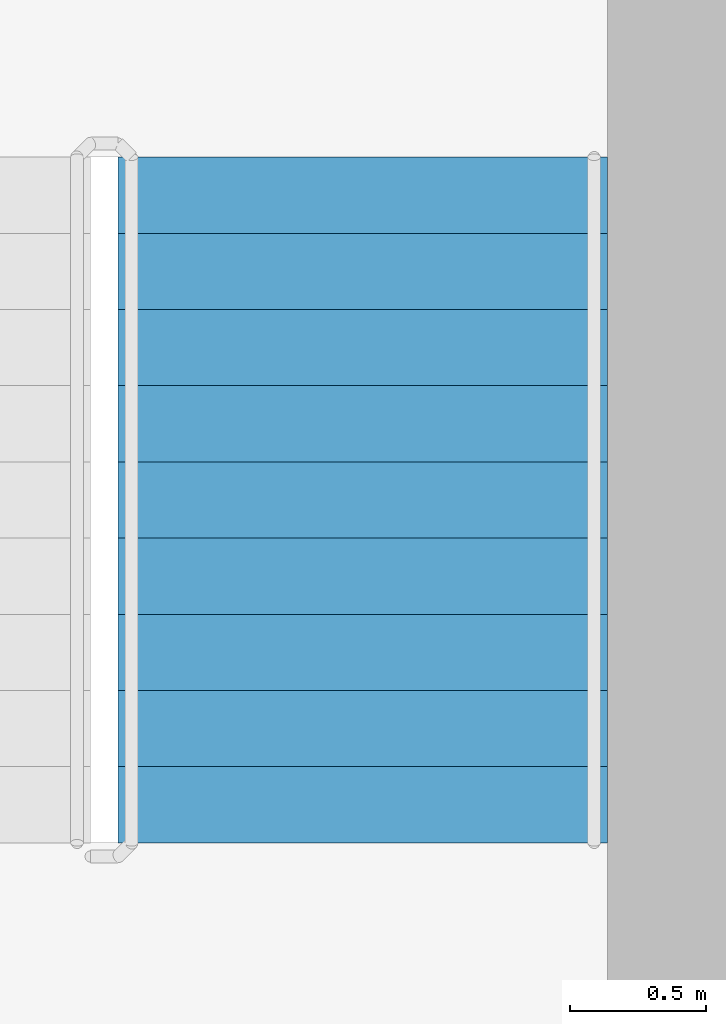
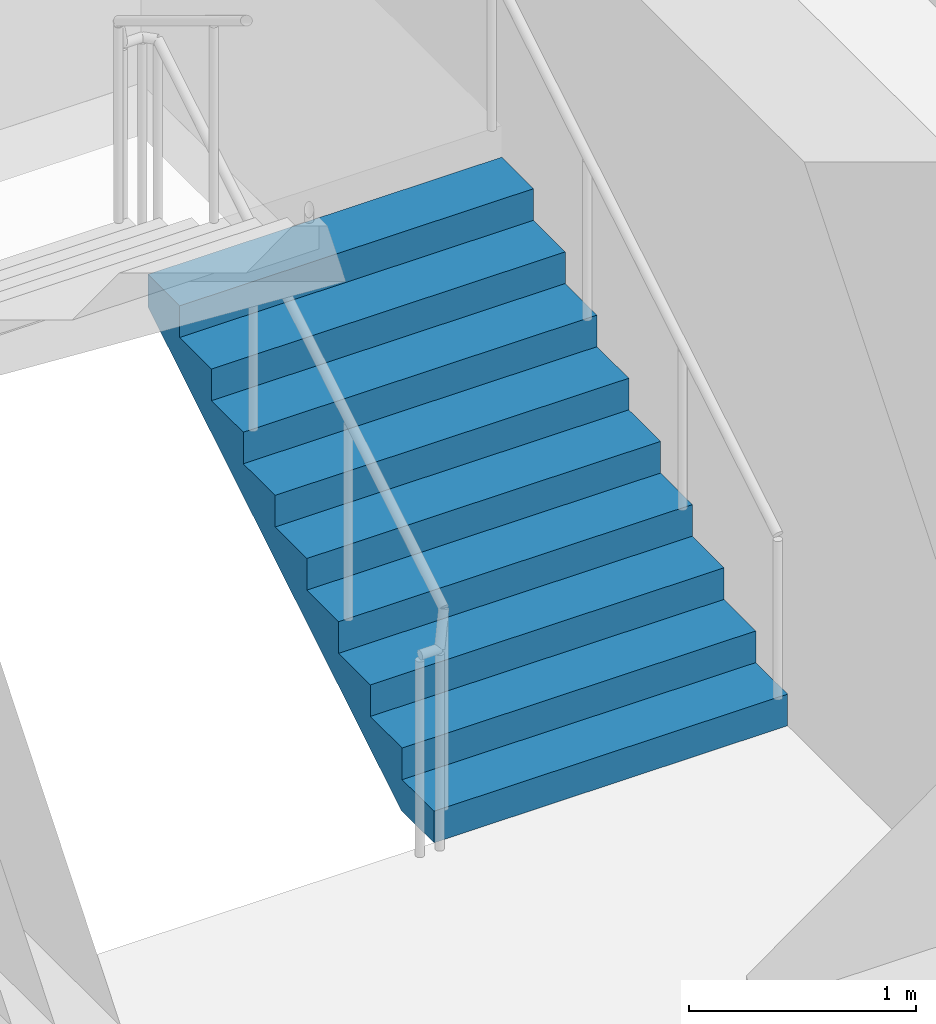
# One storey, part 11 of 16: 1 stair flight, 1 element without a shape of its own.
"""IFC4 building model written with IfcOpenShell, lengths in metres."""

from ifc_helpers import new_model, si_unit, direction, frame, origin, place, context, subcontext, project, spatial, triangles, source, transform, mapped, material, type_object, element, aggregate, save


model = new_model("IFC4")

# Units and contexts
model_context = context("Model", 3, precision=1e-05, world=origin(), true_north=direction((0.0, 1.0)))
body_context = subcontext(model_context, "Body", "Model", "MODEL_VIEW")
ifc_project = project(units=[si_unit("LENGTHUNIT", "METRE"), si_unit("AREAUNIT", "SQUARE_METRE"), si_unit("VOLUMEUNIT", "CUBIC_METRE"), si_unit("PLANEANGLEUNIT", "RADIAN"), si_unit("MASSUNIT", "GRAM", prefix="KILO")], contexts=[model_context])

# Site, building, storey
site_placement = place(None, origin())
site = spatial("IfcSite", under=ifc_project, at=site_placement, CompositionType="ELEMENT")
building_placement = place(site_placement, origin())
building = spatial("IfcBuilding", under=site, at=building_placement, Name="Kilnfold Tower and Market Hall", CompositionType="ELEMENT")
storey_placement = place(building_placement, frame((0.0, 0.0, 284.0)))
storey = spatial("IfcBuildingStorey", under=building, at=storey_placement, Name="L70", CompositionType="ELEMENT", Elevation=284.0)

# Stair, stair flight
ifc_material_1 = material(Name="Concrete C40/50", Category="concrete")
stair_type = type_object("IfcStairType", Name="CORE STAIR 1800", PredefinedType="HALF_TURN_STAIR", material=ifc_material_1)
stair_placement = place(storey_placement, origin())
stair = element("IfcStair", 1, at=stair_placement, inside=storey, type_object=stair_type, Name="L70 ST2", PredefinedType="HALF_TURN_STAIR")
ifc_material_2 = material(Name="Concrete C40/50", Category="concrete")
stair_flight_type = type_object("IfcStairFlightType", Name="CORE STAIR FLIGHT 1800", PredefinedType="STRAIGHT", material=ifc_material_2)
shared_shape = source(origin(), body_context, "Body", "Tessellation", [
    triangles([(0.0, 0.89990234375, 0.0), (0.0, 0.78759765625, 0.0), (0.0, 0.675048828125, 0.0), (0.0, 0.5625, 0.0), (0.0, 0.449951171875, 0.0), (0.0, 0.33740234375, 0.0), (0.0, 0.22509765625, 0.0), (0.0, 0.112548828125, 0.0), (0.0, 0.0, 0.0), (0.0, -0.112548828125, 0.0), (0.0, -0.22509765625, 0.0), (0.0, -0.33740234375, 0.0), (0.0, -0.449951171875, 0.0), (0.0, -0.5625, 0.0), (0.0, -0.675048828125, 0.0), (0.0, -0.78759765625, 0.0), (0.0, -0.89990234375, 0.0), (0.0, 0.89990234375, 0.169921875), (0.0, 0.78759765625, 0.169921875), (0.0, 0.675048828125, 0.169921875), (0.0, 0.5625, 0.169921875), (0.0, 0.449951171875, 0.169921875), (0.0, 0.33740234375, 0.169921875), (0.0, 0.22509765625, 0.169921875), (0.0, 0.112548828125, 0.169921875), (0.0, 0.0, 0.169921875), (0.0, -0.112548828125, 0.169921875), (0.0, -0.22509765625, 0.169921875), (0.0, -0.33740234375, 0.169921875), (0.0, -0.449951171875, 0.169921875), (0.0, -0.5625, 0.169921875), (0.0, -0.675048828125, 0.169921875), (0.0, -0.78759765625, 0.169921875), (0.0, -0.89990234375, 0.169921875), (0.280029296875, 0.89990234375, 0.169921875), (0.280029296875, 0.78759765625, 0.169921875), (0.280029296875, 0.675048828125, 0.169921875), (0.280029296875, 0.5625, 0.169921875), (0.280029296875, 0.449951171875, 0.169921875), (0.280029296875, 0.33740234375, 0.169921875), (0.280029296875, 0.22509765625, 0.169921875), (0.280029296875, 0.112548828125, 0.169921875), (0.280029296875, 0.0, 0.169921875), (0.280029296875, -0.112548828125, 0.169921875), (0.280029296875, -0.22509765625, 0.169921875), (0.280029296875, -0.33740234375, 0.169921875), (0.280029296875, -0.449951171875, 0.169921875), (0.280029296875, -0.5625, 0.169921875), (0.280029296875, -0.675048828125, 0.169921875), (0.280029296875, -0.78759765625, 0.169921875), (0.280029296875, -0.89990234375, 0.169921875), (0.280029296875, 0.89990234375, 0.340087890625), (0.280029296875, 0.78759765625, 0.340087890625), (0.280029296875, 0.675048828125, 0.340087890625), (0.280029296875, 0.5625, 0.340087890625), (0.280029296875, 0.449951171875, 0.340087890625), (0.280029296875, 0.33740234375, 0.340087890625), (0.280029296875, 0.22509765625, 0.340087890625), (0.280029296875, 0.112548828125, 0.340087890625), (0.280029296875, 0.0, 0.340087890625), (0.280029296875, -0.112548828125, 0.340087890625), (0.280029296875, -0.22509765625, 0.340087890625), (0.280029296875, -0.33740234375, 0.340087890625), (0.280029296875, -0.449951171875, 0.340087890625), (0.280029296875, -0.5625, 0.340087890625), (0.280029296875, -0.675048828125, 0.340087890625), (0.280029296875, -0.78759765625, 0.340087890625), (0.280029296875, -0.89990234375, 0.340087890625), (0.56005859375, 0.89990234375, 0.340087890625), (0.56005859375, 0.78759765625, 0.340087890625), (0.56005859375, 0.675048828125, 0.340087890625), (0.56005859375, 0.5625, 0.340087890625), (0.56005859375, 0.449951171875, 0.340087890625), (0.56005859375, 0.33740234375, 0.340087890625), (0.56005859375, 0.22509765625, 0.340087890625), (0.56005859375, 0.112548828125, 0.340087890625), (0.56005859375, 0.0, 0.340087890625), (0.56005859375, -0.112548828125, 0.340087890625), (0.56005859375, -0.22509765625, 0.340087890625), (0.56005859375, -0.33740234375, 0.340087890625), (0.56005859375, -0.449951171875, 0.340087890625), (0.56005859375, -0.5625, 0.340087890625), (0.56005859375, -0.675048828125, 0.340087890625), (0.56005859375, -0.78759765625, 0.340087890625), (0.56005859375, -0.89990234375, 0.340087890625), (0.56005859375, 0.89990234375, 0.510009765625), (0.56005859375, 0.78759765625, 0.510009765625), (0.56005859375, 0.675048828125, 0.510009765625), (0.56005859375, 0.5625, 0.510009765625), (0.56005859375, 0.449951171875, 0.510009765625), (0.56005859375, 0.33740234375, 0.510009765625), (0.56005859375, 0.22509765625, 0.510009765625), (0.56005859375, 0.112548828125, 0.510009765625), (0.56005859375, 0.0, 0.510009765625), (0.56005859375, -0.112548828125, 0.510009765625), (0.56005859375, -0.22509765625, 0.510009765625), (0.56005859375, -0.33740234375, 0.510009765625), (0.56005859375, -0.449951171875, 0.510009765625), (0.56005859375, -0.5625, 0.510009765625), (0.56005859375, -0.675048828125, 0.510009765625), (0.56005859375, -0.78759765625, 0.510009765625), (0.56005859375, -0.89990234375, 0.510009765625), (0.840087890625, 0.89990234375, 0.510009765625), (0.840087890625, 0.78759765625, 0.510009765625), (0.840087890625, 0.675048828125, 0.510009765625), (0.840087890625, 0.5625, 0.510009765625), (0.840087890625, 0.449951171875, 0.510009765625), (0.840087890625, 0.33740234375, 0.510009765625), (0.840087890625, 0.22509765625, 0.510009765625), (0.840087890625, 0.112548828125, 0.510009765625), (0.840087890625, 0.0, 0.510009765625), (0.840087890625, -0.112548828125, 0.510009765625), (0.840087890625, -0.22509765625, 0.510009765625), (0.840087890625, -0.33740234375, 0.510009765625), (0.840087890625, -0.449951171875, 0.510009765625), (0.840087890625, -0.5625, 0.510009765625), (0.840087890625, -0.675048828125, 0.510009765625), (0.840087890625, -0.78759765625, 0.510009765625), (0.840087890625, -0.89990234375, 0.510009765625), (0.840087890625, 0.89990234375, 0.679931640625), (0.840087890625, 0.78759765625, 0.679931640625), (0.840087890625, 0.675048828125, 0.679931640625), (0.840087890625, 0.5625, 0.679931640625), (0.840087890625, 0.449951171875, 0.679931640625), (0.840087890625, 0.33740234375, 0.679931640625), (0.840087890625, 0.22509765625, 0.679931640625), (0.840087890625, 0.112548828125, 0.679931640625), (0.840087890625, 0.0, 0.679931640625), (0.840087890625, -0.112548828125, 0.679931640625), (0.840087890625, -0.22509765625, 0.679931640625), (0.840087890625, -0.33740234375, 0.679931640625), (0.840087890625, -0.449951171875, 0.679931640625), (0.840087890625, -0.5625, 0.679931640625), (0.840087890625, -0.675048828125, 0.679931640625), (0.840087890625, -0.78759765625, 0.679931640625), (0.840087890625, -0.89990234375, 0.679931640625), (1.1201171875, 0.89990234375, 0.679931640625), (1.1201171875, 0.78759765625, 0.679931640625), (1.1201171875, 0.675048828125, 0.679931640625), (1.1201171875, 0.5625, 0.679931640625), (1.1201171875, 0.449951171875, 0.679931640625), (1.1201171875, 0.33740234375, 0.679931640625), (1.1201171875, 0.22509765625, 0.679931640625), (1.1201171875, 0.112548828125, 0.679931640625), (1.1201171875, 0.0, 0.679931640625), (1.1201171875, -0.112548828125, 0.679931640625), (1.1201171875, -0.22509765625, 0.679931640625), (1.1201171875, -0.33740234375, 0.679931640625), (1.1201171875, -0.449951171875, 0.679931640625), (1.1201171875, -0.5625, 0.679931640625), (1.1201171875, -0.675048828125, 0.679931640625), (1.1201171875, -0.78759765625, 0.679931640625), (1.1201171875, -0.89990234375, 0.679931640625), (1.1201171875, 0.89990234375, 0.85009765625), (1.1201171875, 0.78759765625, 0.85009765625), (1.1201171875, 0.675048828125, 0.85009765625), (1.1201171875, 0.5625, 0.85009765625), (1.1201171875, 0.449951171875, 0.85009765625), (1.1201171875, 0.33740234375, 0.85009765625), (1.1201171875, 0.22509765625, 0.85009765625), (1.1201171875, 0.112548828125, 0.85009765625), (1.1201171875, 0.0, 0.85009765625), (1.1201171875, -0.112548828125, 0.85009765625), (1.1201171875, -0.22509765625, 0.85009765625), (1.1201171875, -0.33740234375, 0.85009765625), (1.1201171875, -0.449951171875, 0.85009765625), (1.1201171875, -0.5625, 0.85009765625), (1.1201171875, -0.675048828125, 0.85009765625), (1.1201171875, -0.78759765625, 0.85009765625), (1.1201171875, -0.89990234375, 0.85009765625), (1.39990234375, 0.89990234375, 0.85009765625), (1.39990234375, 0.78759765625, 0.85009765625), (1.39990234375, 0.675048828125, 0.85009765625), (1.39990234375, 0.5625, 0.85009765625), (1.39990234375, 0.449951171875, 0.85009765625), (1.39990234375, 0.33740234375, 0.85009765625), (1.39990234375, 0.22509765625, 0.85009765625), (1.39990234375, 0.112548828125, 0.85009765625), (1.39990234375, 0.0, 0.85009765625), (1.39990234375, -0.112548828125, 0.85009765625), (1.39990234375, -0.22509765625, 0.85009765625), (1.39990234375, -0.33740234375, 0.85009765625), (1.39990234375, -0.449951171875, 0.85009765625), (1.39990234375, -0.5625, 0.85009765625), (1.39990234375, -0.675048828125, 0.85009765625), (1.39990234375, -0.78759765625, 0.85009765625), (1.39990234375, -0.89990234375, 0.85009765625), (1.39990234375, 0.89990234375, 1.02001953125), (1.39990234375, 0.78759765625, 1.02001953125), (1.39990234375, 0.675048828125, 1.02001953125), (1.39990234375, 0.5625, 1.02001953125), (1.39990234375, 0.449951171875, 1.02001953125), (1.39990234375, 0.33740234375, 1.02001953125), (1.39990234375, 0.22509765625, 1.02001953125), (1.39990234375, 0.112548828125, 1.02001953125), (1.39990234375, 0.0, 1.02001953125), (1.39990234375, -0.112548828125, 1.02001953125), (1.39990234375, -0.22509765625, 1.02001953125), (1.39990234375, -0.33740234375, 1.02001953125), (1.39990234375, -0.449951171875, 1.02001953125), (1.39990234375, -0.5625, 1.02001953125), (1.39990234375, -0.675048828125, 1.02001953125), (1.39990234375, -0.78759765625, 1.02001953125), (1.39990234375, -0.89990234375, 1.02001953125), (1.679931640625, 0.89990234375, 1.02001953125), (1.679931640625, 0.78759765625, 1.02001953125), (1.679931640625, 0.675048828125, 1.02001953125), (1.679931640625, 0.5625, 1.02001953125), (1.679931640625, 0.449951171875, 1.02001953125), (1.679931640625, 0.33740234375, 1.02001953125), (1.679931640625, 0.22509765625, 1.02001953125), (1.679931640625, 0.112548828125, 1.02001953125), (1.679931640625, 0.0, 1.02001953125), (1.679931640625, -0.112548828125, 1.02001953125), (1.679931640625, -0.22509765625, 1.02001953125), (1.679931640625, -0.33740234375, 1.02001953125), (1.679931640625, -0.449951171875, 1.02001953125), (1.679931640625, -0.5625, 1.02001953125), (1.679931640625, -0.675048828125, 1.02001953125), (1.679931640625, -0.78759765625, 1.02001953125), (1.679931640625, -0.89990234375, 1.02001953125), (1.679931640625, 0.89990234375, 1.18994140625), (1.679931640625, 0.78759765625, 1.18994140625), (1.679931640625, 0.675048828125, 1.18994140625), (1.679931640625, 0.5625, 1.18994140625), (1.679931640625, 0.449951171875, 1.18994140625), (1.679931640625, 0.33740234375, 1.18994140625), (1.679931640625, 0.22509765625, 1.18994140625), (1.679931640625, 0.112548828125, 1.18994140625), (1.679931640625, 0.0, 1.18994140625), (1.679931640625, -0.112548828125, 1.18994140625), (1.679931640625, -0.22509765625, 1.18994140625), (1.679931640625, -0.33740234375, 1.18994140625), (1.679931640625, -0.449951171875, 1.18994140625), (1.679931640625, -0.5625, 1.18994140625), (1.679931640625, -0.675048828125, 1.18994140625), (1.679931640625, -0.78759765625, 1.18994140625), (1.679931640625, -0.89990234375, 1.18994140625), (1.9599609375, 0.89990234375, 1.18994140625), (1.9599609375, 0.78759765625, 1.18994140625), (1.9599609375, 0.675048828125, 1.18994140625), (1.9599609375, 0.5625, 1.18994140625), (1.9599609375, 0.449951171875, 1.18994140625), (1.9599609375, 0.33740234375, 1.18994140625), (1.9599609375, 0.22509765625, 1.18994140625), (1.9599609375, 0.112548828125, 1.18994140625), (1.9599609375, 0.0, 1.18994140625), (1.9599609375, -0.112548828125, 1.18994140625), (1.9599609375, -0.22509765625, 1.18994140625), (1.9599609375, -0.33740234375, 1.18994140625), (1.9599609375, -0.449951171875, 1.18994140625), (1.9599609375, -0.5625, 1.18994140625), (1.9599609375, -0.675048828125, 1.18994140625), (1.9599609375, -0.78759765625, 1.18994140625), (1.9599609375, -0.89990234375, 1.18994140625), (1.9599609375, 0.89990234375, 1.360107421875), (1.9599609375, 0.78759765625, 1.360107421875), (1.9599609375, 0.675048828125, 1.360107421875), (1.9599609375, 0.5625, 1.360107421875), (1.9599609375, 0.449951171875, 1.360107421875), (1.9599609375, 0.33740234375, 1.360107421875), (1.9599609375, 0.22509765625, 1.360107421875), (1.9599609375, 0.112548828125, 1.360107421875), (1.9599609375, 0.0, 1.360107421875), (1.9599609375, -0.112548828125, 1.360107421875), (1.9599609375, -0.22509765625, 1.360107421875), (1.9599609375, -0.33740234375, 1.360107421875), (1.9599609375, -0.449951171875, 1.360107421875), (1.9599609375, -0.5625, 1.360107421875), (1.9599609375, -0.675048828125, 1.360107421875), (1.9599609375, -0.78759765625, 1.360107421875), (1.9599609375, -0.89990234375, 1.360107421875), (2.239990234375, 0.89990234375, 1.360107421875), (2.239990234375, 0.78759765625, 1.360107421875), (2.239990234375, 0.675048828125, 1.360107421875), (2.239990234375, 0.5625, 1.360107421875), (2.239990234375, 0.449951171875, 1.360107421875), (2.239990234375, 0.33740234375, 1.360107421875), (2.239990234375, 0.22509765625, 1.360107421875), (2.239990234375, 0.112548828125, 1.360107421875), (2.239990234375, 0.0, 1.360107421875), (2.239990234375, -0.112548828125, 1.360107421875), (2.239990234375, -0.22509765625, 1.360107421875), (2.239990234375, -0.33740234375, 1.360107421875), (2.239990234375, -0.449951171875, 1.360107421875), (2.239990234375, -0.5625, 1.360107421875), (2.239990234375, -0.675048828125, 1.360107421875), (2.239990234375, -0.78759765625, 1.360107421875), (2.239990234375, -0.89990234375, 1.360107421875), (2.239990234375, 0.89990234375, 1.530029296875), (2.239990234375, 0.78759765625, 1.530029296875), (2.239990234375, 0.675048828125, 1.530029296875), (2.239990234375, 0.5625, 1.530029296875), (2.239990234375, 0.449951171875, 1.530029296875), (2.239990234375, 0.33740234375, 1.530029296875), (2.239990234375, 0.22509765625, 1.530029296875), (2.239990234375, 0.112548828125, 1.530029296875), (2.239990234375, 0.0, 1.530029296875), (2.239990234375, -0.112548828125, 1.530029296875), (2.239990234375, -0.22509765625, 1.530029296875), (2.239990234375, -0.33740234375, 1.530029296875), (2.239990234375, -0.449951171875, 1.530029296875), (2.239990234375, -0.5625, 1.530029296875), (2.239990234375, -0.675048828125, 1.530029296875), (2.239990234375, -0.78759765625, 1.530029296875), (2.239990234375, -0.89990234375, 1.530029296875), (2.52001953125, 0.89990234375, 1.530029296875), (2.52001953125, 0.78759765625, 1.530029296875), (2.52001953125, 0.675048828125, 1.530029296875), (2.52001953125, 0.5625, 1.530029296875), (2.52001953125, 0.449951171875, 1.530029296875), (2.52001953125, 0.33740234375, 1.530029296875), (2.52001953125, 0.22509765625, 1.530029296875), (2.52001953125, 0.112548828125, 1.530029296875), (2.52001953125, 0.0, 1.530029296875), (2.52001953125, -0.112548828125, 1.530029296875), (2.52001953125, -0.22509765625, 1.530029296875), (2.52001953125, -0.33740234375, 1.530029296875), (2.52001953125, -0.449951171875, 1.530029296875), (2.52001953125, -0.5625, 1.530029296875), (2.52001953125, -0.675048828125, 1.530029296875), (2.52001953125, -0.78759765625, 1.530029296875), (2.52001953125, -0.89990234375, 1.530029296875), (2.52001953125, 0.89990234375, 1.354736328125), (2.52001953125, 0.78759765625, 1.354736328125), (2.52001953125, 0.675048828125, 1.354736328125), (2.52001953125, 0.5625, 1.354736328125), (2.52001953125, 0.449951171875, 1.354736328125), (2.52001953125, 0.33740234375, 1.354736328125), (2.52001953125, 0.22509765625, 1.354736328125), (2.52001953125, 0.112548828125, 1.354736328125), (2.52001953125, 0.0, 1.354736328125), (2.52001953125, -0.112548828125, 1.354736328125), (2.52001953125, -0.22509765625, 1.354736328125), (2.52001953125, -0.33740234375, 1.354736328125), (2.52001953125, -0.449951171875, 1.354736328125), (2.52001953125, -0.5625, 1.354736328125), (2.52001953125, -0.675048828125, 1.354736328125), (2.52001953125, -0.78759765625, 1.354736328125), (2.52001953125, -0.89990234375, 1.354736328125), (0.288818359375, 0.89990234375, 0.0), (0.288818359375, 0.78759765625, 0.0), (0.288818359375, 0.675048828125, 0.0), (0.288818359375, 0.5625, 0.0), (0.288818359375, 0.449951171875, 0.0), (0.288818359375, 0.33740234375, 0.0), (0.288818359375, 0.22509765625, 0.0), (0.288818359375, 0.112548828125, 0.0), (0.288818359375, 0.0, 0.0), (0.288818359375, -0.112548828125, 0.0), (0.288818359375, -0.22509765625, 0.0), (0.288818359375, -0.33740234375, 0.0), (0.288818359375, -0.449951171875, 0.0), (0.288818359375, -0.5625, 0.0), (0.288818359375, -0.675048828125, 0.0), (0.288818359375, -0.78759765625, 0.0), (0.288818359375, -0.89990234375, 0.0)], [[1, 324, 341], [17, 357, 340], [324, 290, 307], [340, 323, 306], [324, 273, 290], [340, 306, 289], [324, 256, 273], [340, 289, 272], [324, 239, 256], [340, 272, 255], [239, 205, 222], [255, 238, 221], [324, 205, 239], [340, 255, 221], [205, 171, 188], [221, 204, 187], [324, 171, 205], [340, 221, 187], [171, 137, 154], [187, 170, 153], [324, 137, 171], [340, 187, 153], [137, 103, 120], [153, 136, 119], [324, 103, 137], [340, 153, 119], [103, 69, 86], [119, 102, 85], [324, 69, 103], [340, 119, 85], [69, 35, 52], [85, 68, 51], [324, 35, 69], [340, 85, 51], [1, 35, 324], [17, 340, 51], [35, 1, 18], [51, 34, 17], [1, 19, 18], [1, 2, 19], [2, 20, 19], [2, 3, 20], [3, 21, 20], [3, 4, 21], [4, 22, 21], [4, 5, 22], [5, 23, 22], [5, 6, 23], [6, 24, 23], [6, 7, 24], [7, 25, 24], [7, 8, 25], [8, 26, 25], [8, 9, 26], [9, 27, 26], [9, 10, 27], [10, 28, 27], [10, 11, 28], [11, 29, 28], [11, 12, 29], [12, 30, 29], [12, 13, 30], [13, 31, 30], [13, 14, 31], [14, 32, 31], [14, 15, 32], [15, 33, 32], [15, 16, 33], [16, 34, 33], [16, 17, 34], [18, 36, 35], [18, 19, 36], [19, 37, 36], [19, 20, 37], [20, 38, 37], [20, 21, 38], [21, 39, 38], [21, 22, 39], [22, 40, 39], [22, 23, 40], [23, 41, 40], [23, 24, 41], [24, 42, 41], [24, 25, 42], [25, 43, 42], [25, 26, 43], [26, 44, 43], [26, 27, 44], [27, 45, 44], [27, 28, 45], [28, 46, 45], [28, 29, 46], [29, 47, 46], [29, 30, 47], [30, 48, 47], [30, 31, 48], [31, 49, 48], [31, 32, 49], [32, 50, 49], [32, 33, 50], [33, 51, 50], [33, 34, 51], [35, 53, 52], [35, 36, 53], [36, 54, 53], [36, 37, 54], [37, 55, 54], [37, 38, 55], [38, 56, 55], [38, 39, 56], [39, 57, 56], [39, 40, 57], [40, 58, 57], [40, 41, 58], [41, 59, 58], [41, 42, 59], [42, 60, 59], [42, 43, 60], [43, 61, 60], [43, 44, 61], [44, 62, 61], [44, 45, 62], [45, 63, 62], [45, 46, 63], [46, 64, 63], [46, 47, 64], [47, 65, 64], [47, 48, 65], [48, 66, 65], [48, 49, 66], [49, 67, 66], [49, 50, 67], [50, 68, 67], [50, 51, 68], [52, 70, 69], [52, 53, 70], [53, 71, 70], [53, 54, 71], [54, 72, 71], [54, 55, 72], [55, 73, 72], [55, 56, 73], [56, 74, 73], [56, 57, 74], [57, 75, 74], [57, 58, 75], [58, 76, 75], [58, 59, 76], [59, 77, 76], [59, 60, 77], [60, 78, 77], [60, 61, 78], [61, 79, 78], [61, 62, 79], [62, 80, 79], [62, 63, 80], [63, 81, 80], [63, 64, 81], [64, 82, 81], [64, 65, 82], [65, 83, 82], [65, 66, 83], [66, 84, 83], [66, 67, 84], [67, 85, 84], [67, 68, 85], [69, 87, 86], [69, 70, 87], [70, 88, 87], [70, 71, 88], [71, 89, 88], [71, 72, 89], [72, 90, 89], [72, 73, 90], [73, 91, 90], [73, 74, 91], [74, 92, 91], [74, 75, 92], [75, 93, 92], [75, 76, 93], [76, 94, 93], [76, 77, 94], [77, 95, 94], [77, 78, 95], [78, 96, 95], [78, 79, 96], [79, 97, 96], [79, 80, 97], [80, 98, 97], [80, 81, 98], [81, 99, 98], [81, 82, 99], [82, 100, 99], [82, 83, 100], [83, 101, 100], [83, 84, 101], [84, 102, 101], [84, 85, 102], [86, 104, 103], [86, 87, 104], [87, 105, 104], [87, 88, 105], [88, 106, 105], [88, 89, 106], [89, 107, 106], [89, 90, 107], [90, 108, 107], [90, 91, 108], [91, 109, 108], [91, 92, 109], [92, 110, 109], [92, 93, 110], [93, 111, 110], [93, 94, 111], [94, 112, 111], [94, 95, 112], [95, 113, 112], [95, 96, 113], [96, 114, 113], [96, 97, 114], [97, 115, 114], [97, 98, 115], [98, 116, 115], [98, 99, 116], [99, 117, 116], [99, 100, 117], [100, 118, 117], [100, 101, 118], [101, 119, 118], [101, 102, 119], [103, 121, 120], [103, 104, 121], [104, 122, 121], [104, 105, 122], [105, 123, 122], [105, 106, 123], [106, 124, 123], [106, 107, 124], [107, 125, 124], [107, 108, 125], [108, 126, 125], [108, 109, 126], [109, 127, 126], [109, 110, 127], [110, 128, 127], [110, 111, 128], [111, 129, 128], [111, 112, 129], [112, 130, 129], [112, 113, 130], [113, 131, 130], [113, 114, 131], [114, 132, 131], [114, 115, 132], [115, 133, 132], [115, 116, 133], [116, 134, 133], [116, 117, 134], [117, 135, 134], [117, 118, 135], [118, 136, 135], [118, 119, 136], [120, 138, 137], [120, 121, 138], [121, 139, 138], [121, 122, 139], [122, 140, 139], [122, 123, 140], [123, 141, 140], [123, 124, 141], [124, 142, 141], [124, 125, 142], [125, 143, 142], [125, 126, 143], [126, 144, 143], [126, 127, 144], [127, 145, 144], [127, 128, 145], [128, 146, 145], [128, 129, 146], [129, 147, 146], [129, 130, 147], [130, 148, 147], [130, 131, 148], [131, 149, 148], [131, 132, 149], [132, 150, 149], [132, 133, 150], [133, 151, 150], [133, 134, 151], [134, 152, 151], [134, 135, 152], [135, 153, 152], [135, 136, 153], [137, 155, 154], [137, 138, 155], [138, 156, 155], [138, 139, 156], [139, 157, 156], [139, 140, 157], [140, 158, 157], [140, 141, 158], [141, 159, 158], [141, 142, 159], [142, 160, 159], [142, 143, 160], [143, 161, 160], [143, 144, 161], [144, 162, 161], [144, 145, 162], [145, 163, 162], [145, 146, 163], [146, 164, 163], [146, 147, 164], [147, 165, 164], [147, 148, 165], [148, 166, 165], [148, 149, 166], [149, 167, 166], [149, 150, 167], [150, 168, 167], [150, 151, 168], [151, 169, 168], [151, 152, 169], [152, 170, 169], [152, 153, 170], [154, 172, 171], [154, 155, 172], [155, 173, 172], [155, 156, 173], [156, 174, 173], [156, 157, 174], [157, 175, 174], [157, 158, 175], [158, 176, 175], [158, 159, 176], [159, 177, 176], [159, 160, 177], [160, 178, 177], [160, 161, 178], [161, 179, 178], [161, 162, 179], [162, 180, 179], [162, 163, 180], [163, 181, 180], [163, 164, 181], [164, 182, 181], [164, 165, 182], [165, 183, 182], [165, 166, 183], [166, 184, 183], [166, 167, 184], [167, 185, 184], [167, 168, 185], [168, 186, 185], [168, 169, 186], [169, 187, 186], [169, 170, 187], [171, 189, 188], [171, 172, 189], [172, 190, 189], [172, 173, 190], [173, 191, 190], [173, 174, 191], [174, 192, 191], [174, 175, 192], [175, 193, 192], [175, 176, 193], [176, 194, 193], [176, 177, 194], [177, 195, 194], [177, 178, 195], [178, 196, 195], [178, 179, 196], [179, 197, 196], [179, 180, 197], [180, 198, 197], [180, 181, 198], [181, 199, 198], [181, 182, 199], [182, 200, 199], [182, 183, 200], [183, 201, 200], [183, 184, 201], [184, 202, 201], [184, 185, 202], [185, 203, 202], [185, 186, 203], [186, 204, 203], [186, 187, 204], [188, 206, 205], [188, 189, 206], [189, 207, 206], [189, 190, 207], [190, 208, 207], [190, 191, 208], [191, 209, 208], [191, 192, 209], [192, 210, 209], [192, 193, 210], [193, 211, 210], [193, 194, 211], [194, 212, 211], [194, 195, 212], [195, 213, 212], [195, 196, 213], [196, 214, 213], [196, 197, 214], [197, 215, 214], [197, 198, 215], [198, 216, 215], [198, 199, 216], [199, 217, 216], [199, 200, 217], [200, 218, 217], [200, 201, 218], [201, 219, 218], [201, 202, 219], [202, 220, 219], [202, 203, 220], [203, 221, 220], [203, 204, 221], [205, 223, 222], [205, 206, 223], [206, 224, 223], [206, 207, 224], [207, 225, 224], [207, 208, 225], [208, 226, 225], [208, 209, 226], [209, 227, 226], [209, 210, 227], [210, 228, 227], [210, 211, 228], [211, 229, 228], [211, 212, 229], [212, 230, 229], [212, 213, 230], [213, 231, 230], [213, 214, 231], [214, 232, 231], [214, 215, 232], [215, 233, 232], [215, 216, 233], [216, 234, 233], [216, 217, 234], [217, 235, 234], [217, 218, 235], [218, 236, 235], [218, 219, 236], [219, 237, 236], [219, 220, 237], [220, 238, 237], [220, 221, 238], [222, 240, 239], [222, 223, 240], [223, 241, 240], [223, 224, 241], [224, 242, 241], [224, 225, 242], [225, 243, 242], [225, 226, 243], [226, 244, 243], [226, 227, 244], [227, 245, 244], [227, 228, 245], [228, 246, 245], [228, 229, 246], [229, 247, 246], [229, 230, 247], [230, 248, 247], [230, 231, 248], [231, 249, 248], [231, 232, 249], [232, 250, 249], [232, 233, 250], [233, 251, 250], [233, 234, 251], [234, 252, 251], [234, 235, 252], [235, 253, 252], [235, 236, 253], [236, 254, 253], [236, 237, 254], [237, 255, 254], [237, 238, 255], [239, 257, 256], [239, 240, 257], [240, 258, 257], [240, 241, 258], [241, 259, 258], [241, 242, 259], [242, 260, 259], [242, 243, 260], [243, 261, 260], [243, 244, 261], [244, 262, 261], [244, 245, 262], [245, 263, 262], [245, 246, 263], [246, 264, 263], [246, 247, 264], [247, 265, 264], [247, 248, 265], [248, 266, 265], [248, 249, 266], [249, 267, 266], [249, 250, 267], [250, 268, 267], [250, 251, 268], [251, 269, 268], [251, 252, 269], [252, 270, 269], [252, 253, 270], [253, 271, 270], [253, 254, 271], [254, 272, 271], [254, 255, 272], [256, 274, 273], [256, 257, 274], [257, 275, 274], [257, 258, 275], [258, 276, 275], [258, 259, 276], [259, 277, 276], [259, 260, 277], [260, 278, 277], [260, 261, 278], [261, 279, 278], [261, 262, 279], [262, 280, 279], [262, 263, 280], [263, 281, 280], [263, 264, 281], [264, 282, 281], [264, 265, 282], [265, 283, 282], [265, 266, 283], [266, 284, 283], [266, 267, 284], [267, 285, 284], [267, 268, 285], [268, 286, 285], [268, 269, 286], [269, 287, 286], [269, 270, 287], [270, 288, 287], [270, 271, 288], [271, 289, 288], [271, 272, 289], [273, 291, 290], [273, 274, 291], [274, 292, 291], [274, 275, 292], [275, 293, 292], [275, 276, 293], [276, 294, 293], [276, 277, 294], [277, 295, 294], [277, 278, 295], [278, 296, 295], [278, 279, 296], [279, 297, 296], [279, 280, 297], [280, 298, 297], [280, 281, 298], [281, 299, 298], [281, 282, 299], [282, 300, 299], [282, 283, 300], [283, 301, 300], [283, 284, 301], [284, 302, 301], [284, 285, 302], [285, 303, 302], [285, 286, 303], [286, 304, 303], [286, 287, 304], [287, 305, 304], [287, 288, 305], [288, 306, 305], [288, 289, 306], [290, 308, 307], [290, 291, 308], [291, 309, 308], [291, 292, 309], [292, 310, 309], [292, 293, 310], [293, 311, 310], [293, 294, 311], [294, 312, 311], [294, 295, 312], [295, 313, 312], [295, 296, 313], [296, 314, 313], [296, 297, 314], [297, 315, 314], [297, 298, 315], [298, 316, 315], [298, 299, 316], [299, 317, 316], [299, 300, 317], [300, 318, 317], [300, 301, 318], [301, 319, 318], [301, 302, 319], [302, 320, 319], [302, 303, 320], [303, 321, 320], [303, 304, 321], [304, 322, 321], [304, 305, 322], [305, 323, 322], [305, 306, 323], [307, 325, 324], [307, 308, 325], [308, 326, 325], [308, 309, 326], [309, 327, 326], [309, 310, 327], [310, 328, 327], [310, 311, 328], [311, 329, 328], [311, 312, 329], [312, 330, 329], [312, 313, 330], [313, 331, 330], [313, 314, 331], [314, 332, 331], [314, 315, 332], [315, 333, 332], [315, 316, 333], [316, 334, 333], [316, 317, 334], [317, 335, 334], [317, 318, 335], [318, 336, 335], [318, 319, 336], [319, 337, 336], [319, 320, 337], [320, 338, 337], [320, 321, 338], [321, 339, 338], [321, 322, 339], [322, 340, 339], [322, 323, 340], [324, 342, 341], [324, 325, 342], [325, 343, 342], [325, 326, 343], [326, 344, 343], [326, 327, 344], [327, 345, 344], [327, 328, 345], [328, 346, 345], [328, 329, 346], [329, 347, 346], [329, 330, 347], [330, 348, 347], [330, 331, 348], [331, 349, 348], [331, 332, 349], [332, 350, 349], [332, 333, 350], [333, 351, 350], [333, 334, 351], [334, 352, 351], [334, 335, 352], [335, 353, 352], [335, 336, 353], [336, 354, 353], [336, 337, 354], [337, 355, 354], [337, 338, 355], [338, 356, 355], [338, 339, 356], [339, 357, 356], [339, 340, 357], [341, 2, 1], [341, 342, 2], [342, 3, 2], [342, 343, 3], [343, 4, 3], [343, 344, 4], [344, 5, 4], [344, 345, 5], [345, 6, 5], [345, 346, 6], [346, 7, 6], [346, 347, 7], [347, 8, 7], [347, 348, 8], [348, 9, 8], [348, 349, 9], [349, 10, 9], [349, 350, 10], [350, 11, 10], [350, 351, 11], [351, 12, 11], [351, 352, 12], [352, 13, 12], [352, 353, 13], [353, 14, 13], [353, 354, 14], [354, 15, 14], [354, 355, 15], [355, 16, 15], [355, 356, 16], [356, 17, 16], [356, 357, 17]], closed=True),
])
stair_flight_placement = place(storey_placement, frame((16.199951171875, 10.800048828125, 0.0), z_axis=(0.0, 0.0, 1.0), x_axis=(0.0, 1.0, 0.0)))
stair_flight = element("IfcStairFlight", 2, at=stair_flight_placement, type_object=stair_flight_type, Name="ST2 flight 1", NumberOfRisers=10, NumberOfTreads=9, PredefinedType="STRAIGHT", RiserHeight=0.17, TreadLength=0.28, context=body_context, shape_type="MappedRepresentation", body=[
    mapped(shared_shape, transform((0.0, 0.0, 0.0))),
])
aggregate(stair, [stair_flight])

save(model, "model.ifc")
